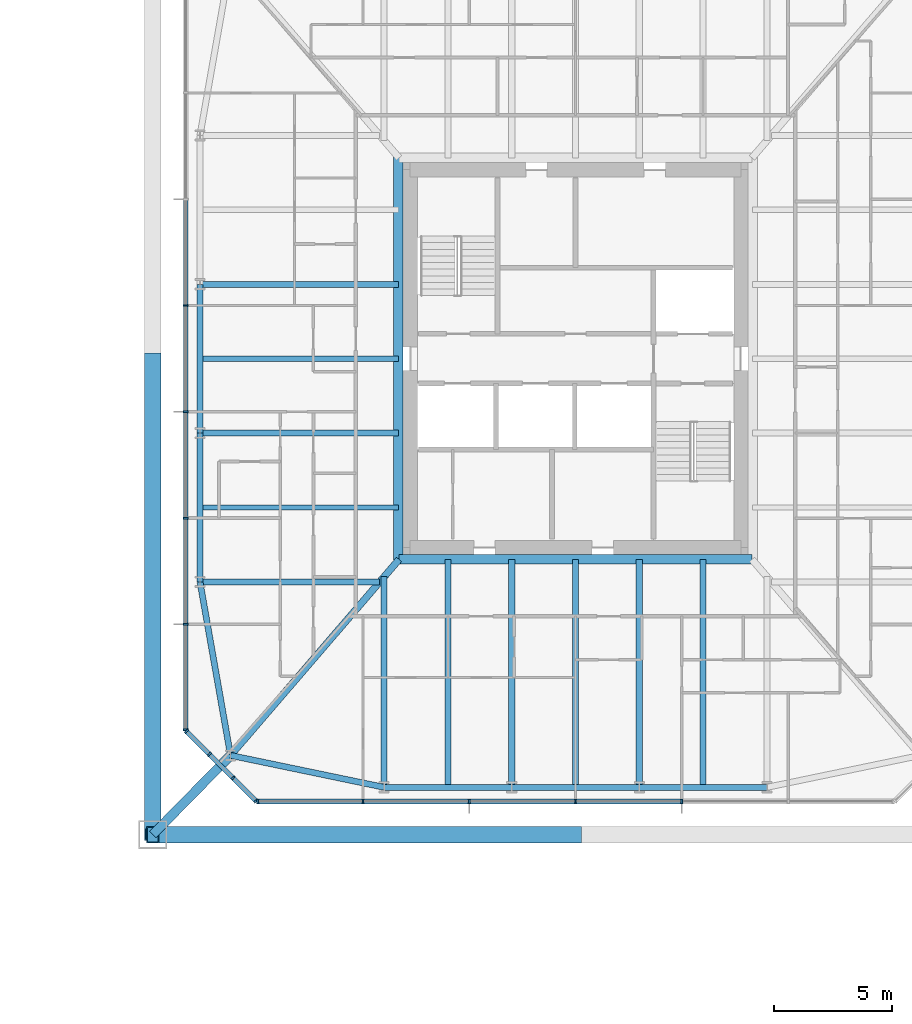
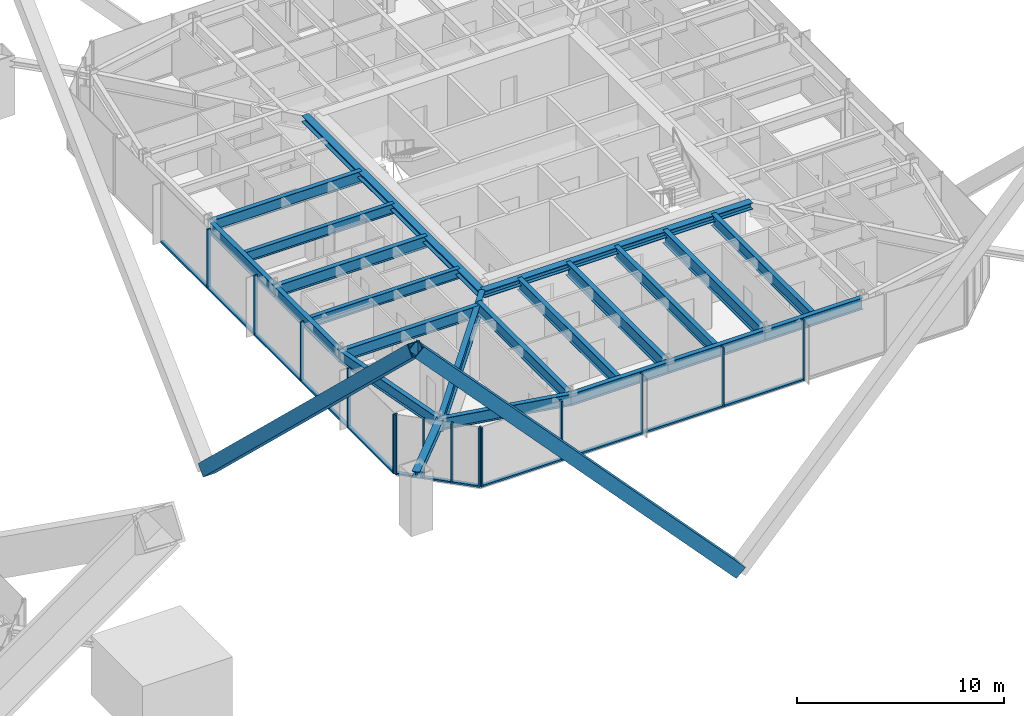
# One storey, part 10 of 28: 29 members, 21 beams, 3 elements without a shape of their own.
"""IFC4 building model written with IfcOpenShell, lengths in metres."""

from ifc_helpers import new_model, si_unit, direction, frame, origin, origin_2d, place, context, subcontext, project, spatial, rectangle, hollow_rectangle, i_section, extrude, material, material_profile, profile_set, type_object, element, aggregate, save


model = new_model("IFC4")

# Units and contexts
model_context = context("Model", 3, precision=1e-05, world=origin(), true_north=direction((0.0, 1.0)))
body_context = subcontext(model_context, "Body", "Model", "MODEL_VIEW")
ifc_project = project(units=[si_unit("LENGTHUNIT", "METRE"), si_unit("AREAUNIT", "SQUARE_METRE"), si_unit("VOLUMEUNIT", "CUBIC_METRE"), si_unit("PLANEANGLEUNIT", "RADIAN"), si_unit("MASSUNIT", "GRAM", prefix="KILO")], contexts=[model_context])

# Site, building, storey
site_placement = place(None, origin())
site = spatial("IfcSite", under=ifc_project, at=site_placement, CompositionType="ELEMENT")
building_placement = place(site_placement, origin())
building = spatial("IfcBuilding", under=site, at=building_placement, Name="Iwan Alto Co-Living Towers", CompositionType="ELEMENT")
storey_placement = place(building_placement, frame((0.0, 0.0, 64.0)))
storey = spatial("IfcBuildingStorey", under=building, at=storey_placement, Name="L17", CompositionType="ELEMENT", Elevation=64.0)

# Curtain wall, members
ifc_material_1 = material(Name="Bronze aluminium unitised frame", Category="aluminium")
curtain_wall_type_1 = type_object("IfcCurtainWallType", Name="CURTAIN WALL CW-C", PredefinedType="NOTDEFINED", material=ifc_material_1)
curtain_wall_1_placement = place(storey_placement, origin())
curtain_wall_1 = element("IfcCurtainWall", 1, at=curtain_wall_1_placement, inside=storey, type_object=curtain_wall_type_1, Name="T2 curtain wall S L17", PredefinedType="NOTDEFINED")
ifc_material_2 = material(Name="Aluminium 6063-T6 bronze anodised", Category="aluminium")
ifc_material_profile_1 = material_profile(ifc_material_2, rectangle(XDim=0.199951171875, YDim=0.080078125, at=origin_2d()), Name="AL 80X200")
ifc_profile_set_1 = profile_set([ifc_material_profile_1], Name="Aluminium 6063-T6 bronze anodised")
member_type_1 = type_object("IfcMemberType", Name="CW-C MULLION 80X200", PredefinedType="MULLION", material=ifc_profile_set_1)
member_1_placement = place(storey_placement, frame((49.5400390625, -18.75, 0.0), z_axis=(0.0, 0.0, 1.0), x_axis=(0.0, 1.0, 0.0)))
member_1 = element("IfcMember", 2, at=member_1_placement, type_object=member_type_1, Name="CW-C mullion 1", PredefinedType="MULLION", context=body_context, shape_type="SweptSolid", body=[
    extrude(rectangle(XDim=0.199951171875, YDim=0.080078125, at=origin_2d()), origin(), (0.0, 0.0, 1.0), 3.5),
])
member_2_placement = place(storey_placement, frame((54.0, -18.75, 0.0), z_axis=(0.0, 0.0, 1.0), x_axis=(0.0, 1.0, 0.0)))
member_2 = element("IfcMember", 3, at=member_2_placement, type_object=member_type_1, Name="CW-C mullion 2", PredefinedType="MULLION", context=body_context, shape_type="SweptSolid", body=[
    extrude(rectangle(XDim=0.199951171875, YDim=0.080078125, at=origin_2d()), origin(), (0.0, 0.0, 1.0), 3.5),
])
member_3_placement = place(storey_placement, frame((58.5, -18.75, 0.0), z_axis=(0.0, 0.0, 1.0), x_axis=(0.0, 1.0, 0.0)))
member_3 = element("IfcMember", 4, at=member_3_placement, type_object=member_type_1, Name="CW-C mullion 3", PredefinedType="MULLION", context=body_context, shape_type="SweptSolid", body=[
    extrude(rectangle(XDim=0.199951171875, YDim=0.080078125, at=origin_2d()), origin(), (0.0, 0.0, 1.0), 3.5),
])
member_4_placement = place(storey_placement, frame((63.0, -18.75, 0.0), z_axis=(0.0, 0.0, 1.0), x_axis=(0.0, 1.0, 0.0)))
member_4 = element("IfcMember", 5, at=member_4_placement, type_object=member_type_1, Name="CW-C mullion 4", PredefinedType="MULLION", context=body_context, shape_type="SweptSolid", body=[
    extrude(rectangle(XDim=0.199951171875, YDim=0.080078125, at=origin_2d()), origin(), (0.0, 0.0, 1.0), 3.5),
])
member_5_placement = place(storey_placement, frame((67.5, -18.75, 0.0), z_axis=(0.0, 0.0, 1.0), x_axis=(0.0, 1.0, 0.0)))
member_5 = element("IfcMember", 6, at=member_5_placement, type_object=member_type_1, Name="CW-C mullion 5", PredefinedType="MULLION", context=body_context, shape_type="SweptSolid", body=[
    extrude(rectangle(XDim=0.199951171875, YDim=0.080078125, at=origin_2d()), origin(), (0.0, 0.0, 1.0), 3.5),
])

curtain_wall_2_placement = place(storey_placement, origin())
curtain_wall_2 = element("IfcCurtainWall", 7, at=curtain_wall_2_placement, inside=storey, type_object=curtain_wall_type_1, Name="T2 curtain wall W L17", PredefinedType="NOTDEFINED")
member_6_placement = place(storey_placement, frame((46.5, 2.25, 0.0), z_axis=(0.0, 0.0, 1.0), x_axis=(1.0, 0.0, 0.0)))
member_6 = element("IfcMember", 8, at=member_6_placement, type_object=member_type_1, Name="CW-C mullion 4", PredefinedType="MULLION", context=body_context, shape_type="SweptSolid", body=[
    extrude(rectangle(XDim=0.199951171875, YDim=0.080078125, at=origin_2d()), origin(), (0.0, 0.0, 1.0), 3.5),
])
member_7_placement = place(storey_placement, frame((46.5, -2.25, 0.0), z_axis=(0.0, 0.0, 1.0), x_axis=(1.0, 0.0, 0.0)))
member_7 = element("IfcMember", 9, at=member_7_placement, type_object=member_type_1, Name="CW-C mullion 5", PredefinedType="MULLION", context=body_context, shape_type="SweptSolid", body=[
    extrude(rectangle(XDim=0.199951171875, YDim=0.080078125, at=origin_2d()), origin(), (0.0, 0.0, 1.0), 3.5),
])
member_8_placement = place(storey_placement, frame((46.5, -6.75, 0.0), z_axis=(0.0, 0.0, 1.0), x_axis=(1.0, 0.0, 0.0)))
member_8 = element("IfcMember", 10, at=member_8_placement, type_object=member_type_1, Name="CW-C mullion 6", PredefinedType="MULLION", context=body_context, shape_type="SweptSolid", body=[
    extrude(rectangle(XDim=0.199951171875, YDim=0.080078125, at=origin_2d()), origin(), (0.0, 0.0, 1.0), 3.5),
])
member_9_placement = place(storey_placement, frame((46.5, -11.25, 0.0), z_axis=(0.0, 0.0, 1.0), x_axis=(1.0, 0.0, 0.0)))
member_9 = element("IfcMember", 11, at=member_9_placement, type_object=member_type_1, Name="CW-C mullion 7", PredefinedType="MULLION", context=body_context, shape_type="SweptSolid", body=[
    extrude(rectangle(XDim=0.199951171875, YDim=0.080078125, at=origin_2d()), origin(), (0.0, 0.0, 1.0), 3.5),
])
member_10_placement = place(storey_placement, frame((46.5, -15.7099609375, 0.0), z_axis=(0.0, 0.0, 1.0), x_axis=(1.0, 0.0, 0.0)))
member_10 = element("IfcMember", 12, at=member_10_placement, type_object=member_type_1, Name="CW-C mullion 8", PredefinedType="MULLION", context=body_context, shape_type="SweptSolid", body=[
    extrude(rectangle(XDim=0.199951171875, YDim=0.080078125, at=origin_2d()), origin(), (0.0, 0.0, 1.0), 3.5),
])

# Member
ifc_material_3 = material(Name="Aluminium 6063-T6 bronze anodised", Category="aluminium")
ifc_material_profile_2 = material_profile(ifc_material_3, rectangle(XDim=0.199951171875, YDim=0.10009765625, at=origin_2d()), Name="AL 200X100")
ifc_profile_set_2 = profile_set([ifc_material_profile_2], Name="Aluminium 6063-T6 bronze anodised")
member_type_2 = type_object("IfcMemberType", Name="CW-C TRANSOM 200X100", PredefinedType="USERDEFINED", material=ifc_profile_set_2)
member_11_placement = place(storey_placement, frame((49.580078125, -18.75, 0.050048828125), z_axis=(1.0, 0.0, 0.0), x_axis=(0.0, 1.0, 0.0)))
member_11 = element("IfcMember", 13, at=member_11_placement, type_object=member_type_2, Name="CW-C transom 1.1", ObjectType="TRANSOM", PredefinedType="USERDEFINED", context=body_context, shape_type="SweptSolid", body=[
    extrude(rectangle(XDim=0.199951171875, YDim=0.10009765625, at=origin_2d()), origin(), (0.0, 0.0, 1.0), 4.3798828125),
])

member_12_placement = place(storey_placement, frame((54.0400390625, -18.75, 0.050048828125), z_axis=(1.0, 0.0, 0.0), x_axis=(0.0, 1.0, 0.0)))
member_12 = element("IfcMember", 14, at=member_12_placement, type_object=member_type_2, Name="CW-C transom 2.1", ObjectType="TRANSOM", PredefinedType="USERDEFINED", context=body_context, shape_type="SweptSolid", body=[
    extrude(rectangle(XDim=0.199951171875, YDim=0.10009765625, at=origin_2d()), origin(), (0.0, 0.0, 1.0), 4.419921875),
])

member_13_placement = place(storey_placement, frame((58.5400390625, -18.75, 0.050048828125), z_axis=(1.0, 0.0, 0.0), x_axis=(0.0, 1.0, 0.0)))
member_13 = element("IfcMember", 15, at=member_13_placement, type_object=member_type_2, Name="CW-C transom 3.1", ObjectType="TRANSOM", PredefinedType="USERDEFINED", context=body_context, shape_type="SweptSolid", body=[
    extrude(rectangle(XDim=0.199951171875, YDim=0.10009765625, at=origin_2d()), origin(), (0.0, 0.0, 1.0), 4.419921875),
])

member_14_placement = place(storey_placement, frame((63.0400390625, -18.75, 0.050048828125), z_axis=(1.0, 0.0, 0.0), x_axis=(0.0, 1.0, 0.0)))
member_14 = element("IfcMember", 16, at=member_14_placement, type_object=member_type_2, Name="CW-C transom 4.1", ObjectType="TRANSOM", PredefinedType="USERDEFINED", context=body_context, shape_type="SweptSolid", body=[
    extrude(rectangle(XDim=0.199951171875, YDim=0.10009765625, at=origin_2d()), origin(), (0.0, 0.0, 1.0), 4.419921875),
])

aggregate(curtain_wall_1, [member_1, member_2, member_3, member_4, member_5, member_11, member_12, member_13, member_14])

member_15_placement = place(storey_placement, frame((46.5, 6.7099609375, 0.050048828125), z_axis=(0.0, -1.0, 0.0), x_axis=(1.0, 0.0, 0.0)))
member_15 = element("IfcMember", 17, at=member_15_placement, type_object=member_type_2, Name="CW-C transom 3.1", ObjectType="TRANSOM", PredefinedType="USERDEFINED", context=body_context, shape_type="SweptSolid", body=[
    extrude(rectangle(XDim=0.199951171875, YDim=0.10009765625, at=origin_2d()), origin(), (0.0, 0.0, 1.0), 4.419921875),
])

member_16_placement = place(storey_placement, frame((46.5, 2.2099609375, 0.050048828125), z_axis=(0.0, -1.0, 0.0), x_axis=(1.0, 0.0, 0.0)))
member_16 = element("IfcMember", 18, at=member_16_placement, type_object=member_type_2, Name="CW-C transom 4.1", ObjectType="TRANSOM", PredefinedType="USERDEFINED", context=body_context, shape_type="SweptSolid", body=[
    extrude(rectangle(XDim=0.199951171875, YDim=0.10009765625, at=origin_2d()), origin(), (0.0, 0.0, 1.0), 4.419921875),
])

member_17_placement = place(storey_placement, frame((46.5, -2.2900390625, 0.050048828125), z_axis=(0.0, -1.0, 0.0), x_axis=(1.0, 0.0, 0.0)))
member_17 = element("IfcMember", 19, at=member_17_placement, type_object=member_type_2, Name="CW-C transom 5.1", ObjectType="TRANSOM", PredefinedType="USERDEFINED", context=body_context, shape_type="SweptSolid", body=[
    extrude(rectangle(XDim=0.199951171875, YDim=0.10009765625, at=origin_2d()), origin(), (0.0, 0.0, 1.0), 4.419921875),
])

member_18_placement = place(storey_placement, frame((46.5, -6.7900390625, 0.050048828125), z_axis=(0.0, -1.0, 0.0), x_axis=(1.0, 0.0, 0.0)))
member_18 = element("IfcMember", 20, at=member_18_placement, type_object=member_type_2, Name="CW-C transom 6.1", ObjectType="TRANSOM", PredefinedType="USERDEFINED", context=body_context, shape_type="SweptSolid", body=[
    extrude(rectangle(XDim=0.199951171875, YDim=0.10009765625, at=origin_2d()), origin(), (0.0, 0.0, 1.0), 4.419921875),
])

member_19_placement = place(storey_placement, frame((46.5, -11.2900390625, 0.050048828125), z_axis=(0.0, -1.0, 0.0), x_axis=(1.0, 0.0, 0.0)))
member_19 = element("IfcMember", 21, at=member_19_placement, type_object=member_type_2, Name="CW-C transom 7.1", ObjectType="TRANSOM", PredefinedType="USERDEFINED", context=body_context, shape_type="SweptSolid", body=[
    extrude(rectangle(XDim=0.199951171875, YDim=0.10009765625, at=origin_2d()), origin(), (0.0, 0.0, 1.0), 4.3798828125),
])

aggregate(curtain_wall_2, [member_6, member_7, member_8, member_9, member_10, member_15, member_16, member_17, member_18, member_19])

# Curtain wall, members
ifc_material_4 = material(Name="Bronze aluminium unitised frame", Category="aluminium")
curtain_wall_type_2 = type_object("IfcCurtainWallType", Name="CURTAIN WALL CW-D", PredefinedType="NOTDEFINED", material=ifc_material_4)
curtain_wall_3_placement = place(storey_placement, origin())
curtain_wall_3 = element("IfcCurtainWall", 22, at=curtain_wall_3_placement, inside=storey, type_object=curtain_wall_type_2, Name="T2 chamfer curtain wall SW L17", PredefinedType="NOTDEFINED")
ifc_material_5 = material(Name="Aluminium 6063-T6 bronze anodised", Category="aluminium")
ifc_material_profile_3 = material_profile(ifc_material_5, rectangle(XDim=0.199951171875, YDim=0.080078125, at=origin_2d()), Name="AL 80X200")
ifc_profile_set_3 = profile_set([ifc_material_profile_3], Name="Aluminium 6063-T6 bronze anodised")
member_type_3 = type_object("IfcMemberType", Name="CW-D MULLION 80X200", PredefinedType="MULLION", material=ifc_profile_set_3)
member_20_placement = place(storey_placement, frame((46.5283203125, -15.7783203125, 0.0), z_axis=(0.0, 0.0, 1.0), x_axis=(0.707106781187, 0.707106781187, 0.0)))
member_20 = element("IfcMember", 23, at=member_20_placement, type_object=member_type_3, Name="CW-D mullion 1", PredefinedType="MULLION", context=body_context, shape_type="SweptSolid", body=[
    extrude(rectangle(XDim=0.199951171875, YDim=0.080078125, at=origin_2d()), origin(), (0.0, 0.0, 1.0), 3.5),
])
member_21_placement = place(storey_placement, frame((47.5, -16.75, 0.0), z_axis=(0.0, 0.0, 1.0), x_axis=(0.707106781187, 0.707106781187, 0.0)))
member_21 = element("IfcMember", 24, at=member_21_placement, type_object=member_type_3, Name="CW-D mullion 2", PredefinedType="MULLION", context=body_context, shape_type="SweptSolid", body=[
    extrude(rectangle(XDim=0.199951171875, YDim=0.080078125, at=origin_2d()), origin(), (0.0, 0.0, 1.0), 3.5),
])
member_22_placement = place(storey_placement, frame((48.5, -17.75, 0.0), z_axis=(0.0, 0.0, 1.0), x_axis=(0.707106781187, 0.707106781187, 0.0)))
member_22 = element("IfcMember", 25, at=member_22_placement, type_object=member_type_3, Name="CW-D mullion 3", PredefinedType="MULLION", context=body_context, shape_type="SweptSolid", body=[
    extrude(rectangle(XDim=0.199951171875, YDim=0.080078125, at=origin_2d()), origin(), (0.0, 0.0, 1.0), 3.5),
])
member_23_placement = place(storey_placement, frame((49.4716796875, -18.7216796875, 0.0), z_axis=(0.0, 0.0, 1.0), x_axis=(0.707106781187, 0.707106781187, 0.0)))
member_23 = element("IfcMember", 26, at=member_23_placement, type_object=member_type_3, Name="CW-D mullion 4", PredefinedType="MULLION", context=body_context, shape_type="SweptSolid", body=[
    extrude(rectangle(XDim=0.199951171875, YDim=0.080078125, at=origin_2d()), origin(), (0.0, 0.0, 1.0), 3.5),
])
ifc_material_6 = material(Name="Aluminium 6063-T6 bronze anodised", Category="aluminium")
ifc_material_profile_4 = material_profile(ifc_material_6, rectangle(XDim=0.199951171875, YDim=0.10009765625, at=origin_2d()), Name="AL 200X100")
ifc_profile_set_4 = profile_set([ifc_material_profile_4], Name="Aluminium 6063-T6 bronze anodised")
member_type_4 = type_object("IfcMemberType", Name="CW-D TRANSOM 200X100", PredefinedType="USERDEFINED", material=ifc_profile_set_4)
member_24_placement = place(storey_placement, frame((46.556640625, -15.806640625, 0.050048828125), z_axis=(0.707106781187, -0.707106781187, 0.0), x_axis=(0.707106781187, 0.707106781187, 0.0)))
member_24 = element("IfcMember", 27, at=member_24_placement, type_object=member_type_4, Name="CW-D transom 1.1", ObjectType="TRANSOM", PredefinedType="USERDEFINED", context=body_context, shape_type="SweptSolid", body=[
    extrude(rectangle(XDim=0.199951171875, YDim=0.10009765625, at=origin_2d()), origin(), (0.0, 0.0, 1.0), 1.2939453125),
])
member_25_placement = place(storey_placement, frame((47.5283203125, -16.7783203125, 0.050048828125), z_axis=(0.707106781187, -0.707106781187, 0.0), x_axis=(0.707106781187, 0.707106781187, 0.0)))
member_25 = element("IfcMember", 28, at=member_25_placement, type_object=member_type_4, Name="CW-D transom 2.1", ObjectType="TRANSOM", PredefinedType="USERDEFINED", context=body_context, shape_type="SweptSolid", body=[
    extrude(rectangle(XDim=0.199951171875, YDim=0.10009765625, at=origin_2d()), origin(), (0.0, 0.0, 1.0), 1.334228515625),
])
member_26_placement = place(storey_placement, frame((48.5283203125, -17.7783203125, 0.050048828125), z_axis=(0.707106781187, -0.707106781187, 0.0), x_axis=(0.707106781187, 0.707106781187, 0.0)))
member_26 = element("IfcMember", 29, at=member_26_placement, type_object=member_type_4, Name="CW-D transom 3.1", ObjectType="TRANSOM", PredefinedType="USERDEFINED", context=body_context, shape_type="SweptSolid", body=[
    extrude(rectangle(XDim=0.199951171875, YDim=0.10009765625, at=origin_2d()), origin(), (0.0, 0.0, 1.0), 1.2939453125),
])
aggregate(curtain_wall_3, [member_20, member_21, member_22, member_23, member_24, member_25, member_26])

# Beams
ifc_material_7 = material(Name="Steel ASTM A992 Gr 50", Category="steel")
ifc_material_profile_5 = material_profile(ifc_material_7, i_section(OverallWidth=0.398681640625, OverallDepth=0.385986328125, WebThickness=0.02099609375, FlangeThickness=0.033203125, at=origin_2d()), Name="W14X176")
ifc_profile_set_5 = profile_set([ifc_material_profile_5], Name="Steel ASTM A992 Gr 50")
beam_type_1 = type_object("IfcBeamType", Name="T2 CORE LEDGER BEAM W14X176", PredefinedType="BEAM", material=ifc_profile_set_5)
beam_1_placement = place(storey_placement, frame((55.528564453125, -8.49951171875, 3.076904296875), z_axis=(1.0, 0.0, 0.0), x_axis=(0.0, 1.0, 0.0)))
element("IfcBeam", 30, at=beam_1_placement, inside=storey, type_object=beam_type_1, Name="T2 core ledger beam S L18", PredefinedType="BEAM", context=body_context, shape_type="SweptSolid", body=[
    extrude(i_section(OverallWidth=0.398681640625, OverallDepth=0.385986328125, WebThickness=0.02099609375, FlangeThickness=0.033203125, at=origin_2d()), origin(), (0.0, 0.0, 1.0), 14.94287109375),
])
beam_2_placement = place(storey_placement, frame((55.50048828125, 8.531982421875, 3.076904296875), z_axis=(0.0, -1.0, 0.0), x_axis=(1.0, 0.0, 0.0)))
element("IfcBeam", 31, at=beam_2_placement, inside=storey, type_object=beam_type_1, Name="T2 core ledger beam W L18", PredefinedType="BEAM", context=body_context, shape_type="SweptSolid", body=[
    extrude(i_section(OverallWidth=0.398681640625, OverallDepth=0.385986328125, WebThickness=0.02099609375, FlangeThickness=0.033203125, at=origin_2d()), origin(), (0.0, 0.0, 1.0), 17.06396484375),
])
ifc_material_8 = material(Name="Steel ASTM A992 Gr 50", Category="steel")
ifc_material_profile_6 = material_profile(ifc_material_8, i_section(OverallWidth=0.2919921875, OverallDepth=0.8408203125, WebThickness=0.0146484375, FlangeThickness=0.021728515625, at=origin_2d()), Name="W33X130")
ifc_profile_set_6 = profile_set([ifc_material_profile_6], Name="Steel ASTM A992 Gr 50")
beam_type_2 = type_object("IfcBeamType", Name="T2 CORNER GIRDER W33X130", PredefinedType="BEAM", material=ifc_profile_set_6)
beam_3_placement = place(storey_placement, frame((48.393798828125, -16.797119140625, 2.849609375), z_axis=(0.651977452133, 0.758238354286, 0.0), x_axis=(-0.758238354286, 0.651977452133, 0.0)))
element("IfcBeam", 32, at=beam_3_placement, inside=storey, type_object=beam_type_2, Name="T2 corner girder CSW L18", PredefinedType="BEAM", context=body_context, shape_type="SweptSolid", body=[
    extrude(i_section(OverallWidth=0.2919921875, OverallDepth=0.8408203125, WebThickness=0.0146484375, FlangeThickness=0.021728515625, at=origin_2d()), origin(), (0.0, 0.0, 1.0), 10.943359375),
])
ifc_material_9 = material(Name="Steel ASTM A992 Gr 50", Category="steel")
ifc_material_profile_7 = material_profile(ifc_material_9, i_section(OverallWidth=0.25390625, OverallDepth=0.683349609375, WebThickness=0.012451171875, FlangeThickness=0.018798828125, at=origin_2d()), Name="W27X94")
ifc_profile_set_7 = profile_set([ifc_material_profile_7], Name="Steel ASTM A992 Gr 50")
beam_type_3 = type_object("IfcBeamType", Name="T2 EDGE BEAM W27X94", PredefinedType="BEAM", material=ifc_profile_set_7)
beam_4_placement = place(storey_placement, frame((48.393798828125, -16.797119140625, 2.928466796875), z_axis=(0.979060119423, -0.203571320564, 0.0), x_axis=(0.203571320564, 0.979060119423, 0.0)))
element("IfcBeam", 33, at=beam_4_placement, inside=storey, type_object=beam_type_3, Name="T2 edge beam CSW L18", PredefinedType="BEAM", context=body_context, shape_type="SweptSolid", body=[
    extrude(i_section(OverallWidth=0.25390625, OverallDepth=0.683349609375, WebThickness=0.012451171875, FlangeThickness=0.018798828125, at=origin_2d()), origin(), (0.0, 0.0, 1.0), 6.645263671875),
])
beam_5_placement = place(storey_placement, frame((54.89990234375, -18.14990234375, 2.928466796875), z_axis=(1.0, 0.0, 0.0), x_axis=(0.0, 1.0, 0.0)))
element("IfcBeam", 34, at=beam_5_placement, inside=storey, type_object=beam_type_3, Name="T2 edge beam S1 L18", PredefinedType="BEAM", context=body_context, shape_type="SweptSolid", body=[
    extrude(i_section(OverallWidth=0.25390625, OverallDepth=0.683349609375, WebThickness=0.012451171875, FlangeThickness=0.018798828125, at=origin_2d()), origin(), (0.0, 0.0, 1.0), 5.400146484375),
])
beam_6_placement = place(storey_placement, frame((60.300048828125, -18.14990234375, 2.928466796875), z_axis=(1.0, 0.0, 0.0), x_axis=(0.0, 1.0, 0.0)))
element("IfcBeam", 35, at=beam_6_placement, inside=storey, type_object=beam_type_3, Name="T2 edge beam S2 L18", PredefinedType="BEAM", context=body_context, shape_type="SweptSolid", body=[
    extrude(i_section(OverallWidth=0.25390625, OverallDepth=0.683349609375, WebThickness=0.012451171875, FlangeThickness=0.018798828125, at=origin_2d()), origin(), (0.0, 0.0, 1.0), 5.39990234375),
])
beam_7_placement = place(storey_placement, frame((65.699951171875, -18.14990234375, 2.928466796875), z_axis=(1.0, 0.0, 0.0), x_axis=(0.0, 1.0, 0.0)))
element("IfcBeam", 36, at=beam_7_placement, inside=storey, type_object=beam_type_3, Name="T2 edge beam S3 L18", PredefinedType="BEAM", context=body_context, shape_type="SweptSolid", body=[
    extrude(i_section(OverallWidth=0.25390625, OverallDepth=0.683349609375, WebThickness=0.012451171875, FlangeThickness=0.018798828125, at=origin_2d()), origin(), (0.0, 0.0, 1.0), 5.400146484375),
])
beam_8_placement = place(storey_placement, frame((47.10009765625, 3.14990234375, 2.928466796875), z_axis=(0.0, -1.0, 0.0), x_axis=(1.0, 0.0, 0.0)))
element("IfcBeam", 37, at=beam_8_placement, inside=storey, type_object=beam_type_3, Name="T2 edge beam W2 L18", PredefinedType="BEAM", context=body_context, shape_type="SweptSolid", body=[
    extrude(i_section(OverallWidth=0.25390625, OverallDepth=0.683349609375, WebThickness=0.012451171875, FlangeThickness=0.018798828125, at=origin_2d()), origin(), (0.0, 0.0, 1.0), 6.2998046875),
])
beam_9_placement = place(storey_placement, frame((47.10009765625, -3.14990234375, 2.928466796875), z_axis=(0.0, -1.0, 0.0), x_axis=(1.0, 0.0, 0.0)))
element("IfcBeam", 38, at=beam_9_placement, inside=storey, type_object=beam_type_3, Name="T2 edge beam W3 L18", PredefinedType="BEAM", context=body_context, shape_type="SweptSolid", body=[
    extrude(i_section(OverallWidth=0.25390625, OverallDepth=0.683349609375, WebThickness=0.012451171875, FlangeThickness=0.018798828125, at=origin_2d()), origin(), (0.0, 0.0, 1.0), 6.300048828125),
])
beam_10_placement = place(storey_placement, frame((47.10009765625, -9.449951171875, 2.928466796875), z_axis=(0.173413807283, -0.98484905008, 0.0), x_axis=(0.98484905008, 0.173413807283, 0.0)))
element("IfcBeam", 39, at=beam_10_placement, inside=storey, type_object=beam_type_3, Name="T2 edge beam W4 L18", PredefinedType="BEAM", context=body_context, shape_type="SweptSolid", body=[
    extrude(i_section(OverallWidth=0.25390625, OverallDepth=0.683349609375, WebThickness=0.012451171875, FlangeThickness=0.018798828125, at=origin_2d()), origin(), (0.0, 0.0, 1.0), 7.460205078125),
])

# Members
ifc_material_10 = material(Name="Steel ASTM A572 Gr 50", Category="steel")
ifc_material_profile_8 = material_profile(ifc_material_10, hollow_rectangle(XDim=0.699951171875, YDim=0.699951171875, WallThickness=0.044921875, at=origin_2d()), Name="BOX 700X700X45")
ifc_profile_set_8 = profile_set([ifc_material_profile_8], Name="Steel ASTM A572 Gr 50")
member_type_5 = type_object("IfcMemberType", Name="T2 MEGA BRACE BOX 700X700X45", PredefinedType="BRACE", material=ifc_profile_set_8)
member_27_placement = place(storey_placement, frame((63.0, -20.14990234375, -8.75), z_axis=(-0.680959649938, 0.0, 0.732320937264), x_axis=(0.0, -1.0, 0.0)))
element("IfcMember", 40, at=member_27_placement, inside=storey, type_object=member_type_5, Name="T2 mega brace Z1B S 2 upper", PredefinedType="BRACE", context=body_context, shape_type="SweptSolid", body=[
    extrude(hollow_rectangle(XDim=0.699951171875, YDim=0.699951171875, WallThickness=0.044921875, at=origin_2d()), origin(), (0.0, 0.0, 1.0), 26.286376953125),
])
member_28_placement = place(storey_placement, frame((45.10009765625, 0.0, -8.75), z_axis=(0.0, -0.72306867492, 0.690776151405), x_axis=(1.0, 0.0, 0.0)))
element("IfcMember", 41, at=member_28_placement, inside=storey, type_object=member_type_5, Name="T2 mega brace Z1B W 1 upper", PredefinedType="BRACE", context=body_context, shape_type="SweptSolid", body=[
    extrude(hollow_rectangle(XDim=0.699951171875, YDim=0.699951171875, WallThickness=0.044921875, at=origin_2d()), origin(), (0.0, 0.0, 1.0), 27.8671875),
])
ifc_material_11 = material(Name="Steel ASTM A992 Gr 50", Category="steel")
ifc_material_profile_9 = material_profile(ifc_material_11, i_section(OverallWidth=0.393798828125, OverallDepth=0.3759765625, WebThickness=0.017333984375, FlangeThickness=0.027587890625, at=origin_2d()), Name="W14X145")
ifc_profile_set_9 = profile_set([ifc_material_profile_9], Name="Steel ASTM A992 Gr 50")
member_type_6 = type_object("IfcMemberType", Name="T2 MEGA COLUMN FLOOR TIE W14X145", PredefinedType="STRUT", material=ifc_profile_set_9)
member_29_placement = place(storey_placement, frame((45.10009765625, -20.14990234375, 3.08203125), z_axis=(0.700793469544, 0.71336422187, 0.0), x_axis=(-0.71336422187, 0.700793469544, 0.0)))
element("IfcMember", 42, at=member_29_placement, inside=storey, type_object=member_type_6, Name="T2 mega column floor tie SW L18", PredefinedType="STRUT", context=body_context, shape_type="SweptSolid", body=[
    extrude(i_section(OverallWidth=0.393798828125, OverallDepth=0.3759765625, WebThickness=0.017333984375, FlangeThickness=0.027587890625, at=origin_2d()), origin(), (0.0, 0.0, 1.0), 4.699951171875),
])

# Beams
ifc_material_12 = material(Name="Steel ASTM A992 Gr 50", Category="steel")
ifc_material_profile_10 = material_profile(ifc_material_12, i_section(OverallWidth=0.25390625, OverallDepth=0.683349609375, WebThickness=0.012451171875, FlangeThickness=0.018798828125, at=origin_2d()), Name="W27X94")
ifc_profile_set_10 = profile_set([ifc_material_profile_10], Name="Steel ASTM A992 Gr 50")
beam_type_4 = type_object("IfcBeamType", Name="T2 RADIAL BEAM W27X94", PredefinedType="BEAM", material=ifc_profile_set_10)
beam_11_placement = place(storey_placement, frame((54.89990234375, -18.14990234375, 2.928466796875), z_axis=(0.0, 1.0, 0.0), x_axis=(-1.0, 0.0, 0.0)))
element("IfcBeam", 43, at=beam_11_placement, inside=storey, type_object=beam_type_4, Name="T2 radial beam S1 L18", PredefinedType="BEAM", context=body_context, shape_type="SweptSolid", body=[
    extrude(i_section(OverallWidth=0.25390625, OverallDepth=0.683349609375, WebThickness=0.012451171875, FlangeThickness=0.018798828125, at=origin_2d()), origin(), (0.0, 0.0, 1.0), 8.91943359375),
])
for number, where, z_axis, x_axis, name in (
    (44, (47.10009765625, 3.14990234375, 2.928466796875), (1.0, 0.0, 0.0), (0.0, 1.0, 0.0), "T2 radial beam W2 L18"),
    (45, (47.10009765625, -3.14990234375, 2.928466796875), (1.0, 0.0, 0.0), (0.0, 1.0, 0.0), "T2 radial beam W3 L18"),
):
    element("IfcBeam", number, at=place(storey_placement, frame(where, z_axis=z_axis, x_axis=x_axis)), inside=storey, type_object=beam_type_4, Name=name, PredefinedType="BEAM", context=body_context, shape_type="SweptSolid", body=[
        extrude(i_section(OverallWidth=0.25390625, OverallDepth=0.683349609375, WebThickness=0.012451171875, FlangeThickness=0.018798828125, at=origin_2d()), origin(), (0.0, 0.0, 1.0), 8.400390625),
    ])
beam_12_placement = place(storey_placement, frame((47.10009765625, -9.449951171875, 2.928466796875), z_axis=(1.0, 0.0, 0.0), x_axis=(0.0, 1.0, 0.0)))
element("IfcBeam", 46, at=beam_12_placement, inside=storey, type_object=beam_type_4, Name="T2 radial beam W4 L18", PredefinedType="BEAM", context=body_context, shape_type="SweptSolid", body=[
    extrude(i_section(OverallWidth=0.25390625, OverallDepth=0.683349609375, WebThickness=0.012451171875, FlangeThickness=0.018798828125, at=origin_2d()), origin(), (0.0, 0.0, 1.0), 7.611083984375),
])
ifc_material_13 = material(Name="Steel ASTM A992 Gr 50", Category="steel")
ifc_material_profile_11 = material_profile(ifc_material_13, i_section(OverallWidth=0.2666015625, OverallDepth=0.761962890625, WebThickness=0.014404296875, FlangeThickness=0.021484375, at=origin_2d()), Name="W30X116")
ifc_profile_set_11 = profile_set([ifc_material_profile_11], Name="Steel ASTM A992 Gr 50")
beam_type_5 = type_object("IfcBeamType", Name="T2 RADIAL BEAM W30X116", PredefinedType="BEAM", material=ifc_profile_set_11)
for number, where, z_axis, x_axis, name in (
    (47, (60.300048828125, -18.14990234375, 2.888916015625), (0.0, 1.0, 0.0), (-1.0, 0.0, 0.0), "T2 radial beam S2 L18"),
    (48, (65.699951171875, -18.14990234375, 2.888916015625), (0.0, 1.0, 0.0), (-1.0, 0.0, 0.0), "T2 radial beam S3 L18"),
):
    element("IfcBeam", number, at=place(storey_placement, frame(where, z_axis=z_axis, x_axis=x_axis)), inside=storey, type_object=beam_type_5, Name=name, PredefinedType="BEAM", context=body_context, shape_type="SweptSolid", body=[
        extrude(i_section(OverallWidth=0.2666015625, OverallDepth=0.761962890625, WebThickness=0.014404296875, FlangeThickness=0.021484375, at=origin_2d()), origin(), (0.0, 0.0, 1.0), 9.650390625),
    ])
ifc_material_14 = material(Name="Steel ASTM A992 Gr 50", Category="steel")
ifc_material_profile_12 = material_profile(ifc_material_14, i_section(OverallWidth=0.228271484375, OverallDepth=0.607177734375, WebThickness=0.01123046875, FlangeThickness=0.017333984375, at=origin_2d()), Name="W24X76")
ifc_profile_set_12 = profile_set([ifc_material_profile_12], Name="Steel ASTM A992 Gr 50")
beam_type_6 = type_object("IfcBeamType", Name="T2 SECONDARY BEAM W24X76", PredefinedType="JOIST", material=ifc_profile_set_12)
for number, where, z_axis, x_axis, name in (
    (49, (47.10009765625, 0.0, 2.966552734375), (1.0, 0.0, 0.0), (0.0, 1.0, 0.0), "T2 secondary beam W2 L18"),
    (50, (47.10009765625, -6.300048828125, 2.966552734375), (1.0, 0.0, 0.0), (0.0, 1.0, 0.0), "T2 secondary beam W3 L18"),
):
    element("IfcBeam", number, at=place(storey_placement, frame(where, z_axis=z_axis, x_axis=x_axis)), inside=storey, type_object=beam_type_6, Name=name, PredefinedType="JOIST", context=body_context, shape_type="SweptSolid", body=[
        extrude(i_section(OverallWidth=0.228271484375, OverallDepth=0.607177734375, WebThickness=0.01123046875, FlangeThickness=0.017333984375, at=origin_2d()), origin(), (0.0, 0.0, 1.0), 8.400390625),
    ])
ifc_material_15 = material(Name="Steel ASTM A992 Gr 50", Category="steel")
ifc_material_profile_13 = material_profile(ifc_material_15, i_section(OverallWidth=0.25390625, OverallDepth=0.683349609375, WebThickness=0.012451171875, FlangeThickness=0.018798828125, at=origin_2d()), Name="W27X94")
ifc_profile_set_13 = profile_set([ifc_material_profile_13], Name="Steel ASTM A992 Gr 50")
beam_type_7 = type_object("IfcBeamType", Name="T2 SECONDARY BEAM W27X94", PredefinedType="JOIST", material=ifc_profile_set_13)
for number, where, z_axis, x_axis, name in (
    (51, (57.60009765625, -18.14990234375, 2.928466796875), (0.0, 1.0, 0.0), (-1.0, 0.0, 0.0), "T2 secondary beam S1 L18"),
    (52, (63.0, -18.14990234375, 2.928466796875), (0.0, 1.0, 0.0), (-1.0, 0.0, 0.0), "T2 secondary beam S2 L18"),
    (53, (68.39990234375, -18.14990234375, 2.928466796875), (0.0, 1.0, 0.0), (-1.0, 0.0, 0.0), "T2 secondary beam S3 L18"),
):
    element("IfcBeam", number, at=place(storey_placement, frame(where, z_axis=z_axis, x_axis=x_axis)), inside=storey, type_object=beam_type_7, Name=name, PredefinedType="JOIST", context=body_context, shape_type="SweptSolid", body=[
        extrude(i_section(OverallWidth=0.25390625, OverallDepth=0.683349609375, WebThickness=0.012451171875, FlangeThickness=0.018798828125, at=origin_2d()), origin(), (0.0, 0.0, 1.0), 9.650390625),
    ])

save(model, "model.ifc")
